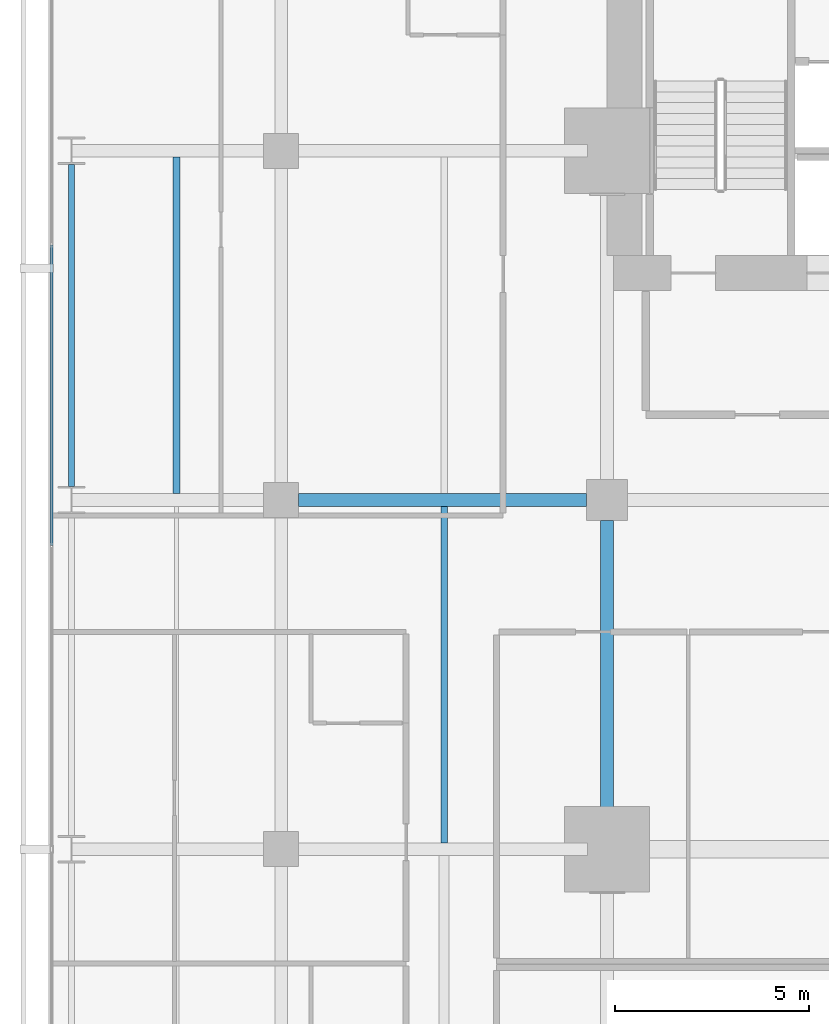
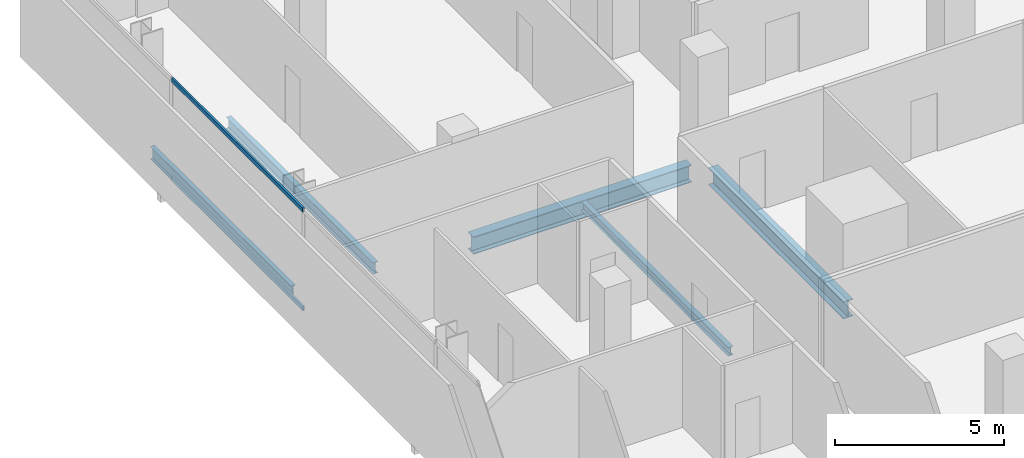
# One storey, part 22 of 39: 5 beams, 2 members, 1 element without a shape of its own.
"""IFC4 building model written with IfcOpenShell, lengths in metres."""

from ifc_helpers import new_model, si_unit, direction, frame, origin, origin_2d, place, context, subcontext, project, spatial, hollow_rectangle, i_section, extrude, material, layer, layer_set, material_profile, profile_set, type_object, element, aggregate, save


model = new_model("IFC4")

# Units and contexts
model_context = context("Model", 3, precision=1e-05, world=origin(), true_north=direction((0.0, 1.0)))
body_context = subcontext(model_context, "Body", "Model", "MODEL_VIEW")
ifc_project = project(units=[si_unit("LENGTHUNIT", "METRE"), si_unit("AREAUNIT", "SQUARE_METRE"), si_unit("VOLUMEUNIT", "CUBIC_METRE"), si_unit("PLANEANGLEUNIT", "RADIAN"), si_unit("MASSUNIT", "GRAM", prefix="KILO")], contexts=[model_context])

# Site, building, storey
site_placement = place(None, origin())
site = spatial("IfcSite", under=ifc_project, at=site_placement, CompositionType="ELEMENT")
building_placement = place(site_placement, origin())
building = spatial("IfcBuilding", under=site, at=building_placement, Name="Maruvema Waterfront Hotel and Observation Tower", CompositionType="ELEMENT")
storey_placement = place(building_placement, frame((0.0, 0.0, 69.300048828125)))
storey = spatial("IfcBuildingStorey", under=building, at=storey_placement, Name="L16", CompositionType="ELEMENT", Elevation=69.300048828125)

# Curtain wall, members
ifc_material_1 = material(Name="Anodised bronze aluminium and solar-control low-E IGU", Category="aluminium")
ifc_layer = layer(ifc_material_1, 0.159912109375, Name="Zone 1 Bronze Inner Thermal Curtain Wall System CW-02")
ifc_layer_set = layer_set([ifc_layer], Name="Anodised bronze aluminium and solar-control low-E IGU")
curtain_wall_type = type_object("IfcCurtainWallType", Name="Zone 1 Bronze Inner Thermal Curtain Wall System CW-02", PredefinedType="USERDEFINED", material=ifc_layer_set)
curtain_wall_placement = place(storey_placement, origin())
curtain_wall = element("IfcCurtainWall", 1, at=curtain_wall_placement, inside=storey, type_object=curtain_wall_type, Name="L16 Curtain Wall CW-L16-W", ObjectType="UNITISED CURTAIN WALL", PredefinedType="USERDEFINED")
ifc_material_2 = material(Name="Anodised architectural bronze aluminium", Category="aluminium")
ifc_material_profile_1 = material_profile(ifc_material_2, hollow_rectangle(XDim=0.070068359375, YDim=0.14990234375, WallThickness=0.00390625, at=origin_2d()), Name="ALU-T70x150")
ifc_profile_set_1 = profile_set([ifc_material_profile_1], Name="Anodised architectural bronze aluminium")
member_type = type_object("IfcMemberType", Name="Curtain Wall Horizontal Transom ALU-T70x150", PredefinedType="USERDEFINED", material=ifc_profile_set_1)
member_1_placement = place(storey_placement, frame((10.8798828125, 42.570068359375, 0.030029296875), z_axis=(0.0, -1.0, 0.0), x_axis=(1.0, 0.0, 0.0)))
member_1 = element("IfcMember", 2, at=member_1_placement, type_object=member_type, Name="CW-02 transom 2.1", ObjectType="TRANSOM", PredefinedType="USERDEFINED", context=body_context, shape_type="SweptSolid", body=[
    extrude(hollow_rectangle(XDim=0.070068359375, YDim=0.14990234375, WallThickness=0.00390625, at=origin_2d()), origin(), (0.0, 0.0, 1.0), 7.739990234375),
])
member_2_placement = place(storey_placement, frame((10.8798828125, 42.570068359375, 3.579833984375), z_axis=(0.0, -1.0, 0.0), x_axis=(1.0, 0.0, 0.0)))
member_2 = element("IfcMember", 3, at=member_2_placement, type_object=member_type, Name="CW-02 transom 2.2", ObjectType="TRANSOM", PredefinedType="USERDEFINED", context=body_context, shape_type="SweptSolid", body=[
    extrude(hollow_rectangle(XDim=0.070068359375, YDim=0.14990234375, WallThickness=0.00390625, at=origin_2d()), origin(), (0.0, 0.0, 1.0), 7.739990234375),
])
aggregate(curtain_wall, [member_1, member_2])

# Beams
ifc_material_3 = material(Name="Steel ASTM A572 Grade 50", Category="steel")
ifc_material_profile_2 = material_profile(ifc_material_3, i_section(OverallWidth=0.153076171875, OverallDepth=0.455078125, WebThickness=0.008056640625, FlangeThickness=0.01318359375, FilletRadius=0.014892578125, at=origin_2d()), Name="W460x60.0")
ifc_profile_set_2 = profile_set([ifc_material_profile_2], Name="Steel ASTM A572 Grade 50")
beam_type_1 = type_object("IfcBeamType", Name="Perimeter Spandrel Beam W460x60.0", PredefinedType="SPANDREL", material=ifc_profile_set_2)
beam_1_placement = place(storey_placement, frame((11.39990234375, 36.35009765625, -0.467529296875), z_axis=(0.0, 1.0, 0.0), x_axis=(-1.0, 0.0, 0.0)))
element("IfcBeam", 4, at=beam_1_placement, inside=storey, type_object=beam_type_1, Name="L16 Floor Girder NS-04", PredefinedType="SPANDREL", context=body_context, shape_type="SweptSolid", body=[
    extrude(i_section(OverallWidth=0.153076171875, OverallDepth=0.455078125, WebThickness=0.008056640625, FlangeThickness=0.01318359375, FilletRadius=0.014892578125, at=origin_2d()), origin(), (0.0, 0.0, 1.0), 8.2998046875),
])
ifc_material_4 = material(Name="Steel ASTM A572 Grade 50", Category="steel")
ifc_material_profile_3 = material_profile(ifc_material_4, i_section(OverallWidth=0.326904296875, OverallDepth=0.6220703125, WebThickness=0.015380859375, FlangeThickness=0.0244140625, FilletRadius=0.01806640625, at=origin_2d()), Name="W610x195.0")
ifc_profile_set_3 = profile_set([ifc_material_profile_3], Name="Steel ASTM A572 Grade 50")
beam_type_2 = type_object("IfcBeamType", Name="Primary Floor Girder W610x195.0", PredefinedType="BEAM", material=ifc_profile_set_3)
beam_2_placement = place(storey_placement, frame((17.25, 36.0, -0.551025390625), z_axis=(1.0, 0.0, 0.0), x_axis=(0.0, 1.0, 0.0)))
element("IfcBeam", 5, at=beam_2_placement, inside=storey, type_object=beam_type_2, Name="L16 Floor Girder EW-26", PredefinedType="BEAM", context=body_context, shape_type="SweptSolid", body=[
    extrude(i_section(OverallWidth=0.326904296875, OverallDepth=0.6220703125, WebThickness=0.015380859375, FlangeThickness=0.0244140625, FilletRadius=0.01806640625, at=origin_2d()), origin(), (0.0, 0.0, 1.0), 7.425048828125),
])
beam_3_placement = place(storey_placement, frame((25.199951171875, 27.5, -0.551025390625), z_axis=(0.0, 1.0, 0.0), x_axis=(-1.0, 0.0, 0.0)))
element("IfcBeam", 6, at=beam_3_placement, inside=storey, type_object=beam_type_2, Name="L16 Floor Girder NS-14", PredefinedType="BEAM", context=body_context, shape_type="SweptSolid", body=[
    extrude(i_section(OverallWidth=0.326904296875, OverallDepth=0.6220703125, WebThickness=0.015380859375, FlangeThickness=0.0244140625, FilletRadius=0.01806640625, at=origin_2d()), origin(), (0.0, 0.0, 1.0), 7.97509765625),
])
ifc_material_5 = material(Name="Steel ASTM A572 Grade 50", Category="steel")
ifc_material_profile_4 = material_profile(ifc_material_5, i_section(OverallWidth=0.1669921875, OverallDepth=0.31689453125, WebThickness=0.007568359375, FlangeThickness=0.01318359375, FilletRadius=0.012939453125, at=origin_2d()), Name="W310x52.0")
ifc_profile_set_4 = profile_set([ifc_material_profile_4], Name="Steel ASTM A572 Grade 50")
beam_type_3 = type_object("IfcBeamType", Name="Secondary Floor Joist W310x52.0", PredefinedType="JOIST", material=ifc_profile_set_4)
beam_4_placement = place(storey_placement, frame((21.0, 27.16357421875, -0.3984375), z_axis=(0.0, 1.0, 0.0), x_axis=(-1.0, 0.0, 0.0)))
element("IfcBeam", 7, at=beam_4_placement, inside=storey, type_object=beam_type_3, Name="L16 Secondary Floor Joist JS-08", PredefinedType="JOIST", context=body_context, shape_type="SweptSolid", body=[
    extrude(i_section(OverallWidth=0.1669921875, OverallDepth=0.31689453125, WebThickness=0.007568359375, FlangeThickness=0.01318359375, FilletRadius=0.012939453125, at=origin_2d()), origin(), (0.0, 0.0, 1.0), 8.6728515625),
])
ifc_material_6 = material(Name="Steel ASTM A572 Grade 50", Category="steel")
ifc_material_profile_5 = material_profile(ifc_material_6, i_section(OverallWidth=0.177001953125, OverallDepth=0.403076171875, WebThickness=0.007568359375, FlangeThickness=0.010986328125, FilletRadius=0.014892578125, at=origin_2d()), Name="W410x53.0")
ifc_profile_set_5 = profile_set([ifc_material_profile_5], Name="Steel ASTM A572 Grade 50")
beam_type_4 = type_object("IfcBeamType", Name="Secondary Floor Joist W410x53.0", PredefinedType="JOIST", material=ifc_profile_set_5)
beam_5_placement = place(storey_placement, frame((14.10009765625, 36.16357421875, -0.441650390625), z_axis=(0.0, 1.0, 0.0), x_axis=(-1.0, 0.0, 0.0)))
element("IfcBeam", 8, at=beam_5_placement, inside=storey, type_object=beam_type_4, Name="L16 Secondary Floor Joist JS-04", PredefinedType="JOIST", context=body_context, shape_type="SweptSolid", body=[
    extrude(i_section(OverallWidth=0.177001953125, OverallDepth=0.403076171875, WebThickness=0.007568359375, FlangeThickness=0.010986328125, FilletRadius=0.014892578125, at=origin_2d()), origin(), (0.0, 0.0, 1.0), 8.6728515625),
])

save(model, "model.ifc")
